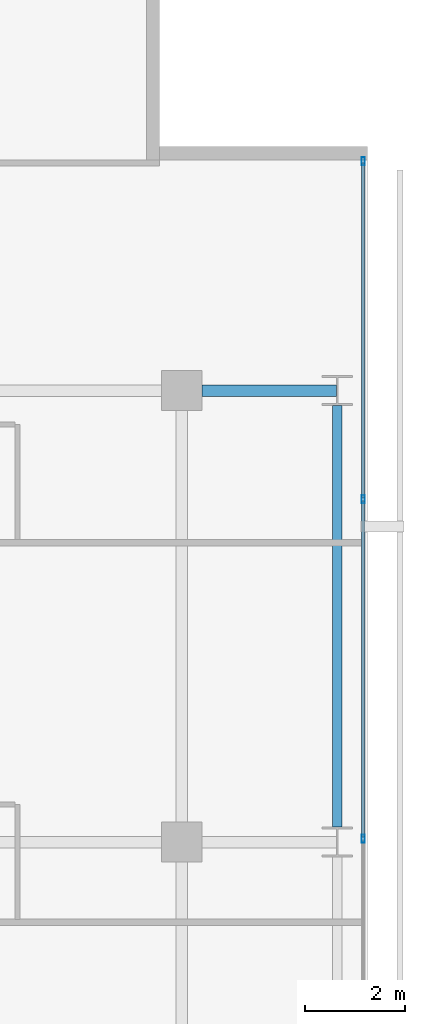
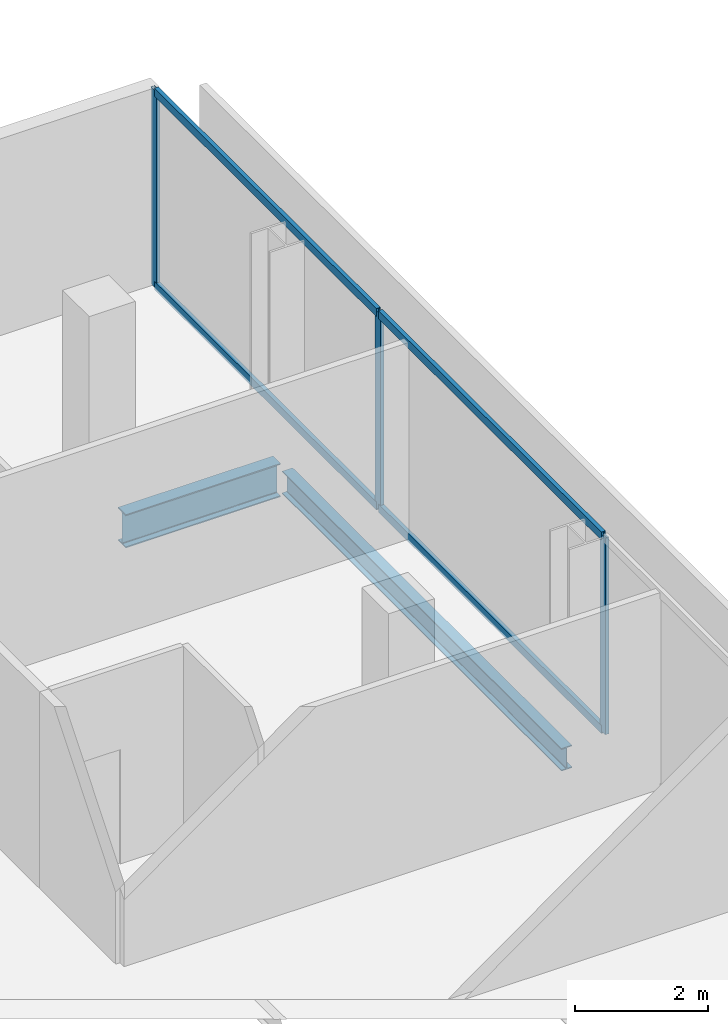
# One storey, part 24 of 34: 7 members, 2 beams, 1 element without a shape of its own.
"""IFC4 building model written with IfcOpenShell, lengths in metres."""

from ifc_helpers import new_model, si_unit, direction, frame, origin, origin_2d, place, context, subcontext, project, spatial, hollow_rectangle, i_section, extrude, material, layer, layer_set, material_profile, profile_set, type_object, element, aggregate, save


model = new_model("IFC4")

# Units and contexts
model_context = context("Model", 3, precision=1e-05, world=origin(), true_north=direction((0.0, 1.0)))
body_context = subcontext(model_context, "Body", "Model", "MODEL_VIEW")
ifc_project = project(units=[si_unit("LENGTHUNIT", "METRE"), si_unit("AREAUNIT", "SQUARE_METRE"), si_unit("VOLUMEUNIT", "CUBIC_METRE"), si_unit("PLANEANGLEUNIT", "RADIAN"), si_unit("MASSUNIT", "GRAM", prefix="KILO")], contexts=[model_context])

# Site, building, storey
site_placement = place(None, origin())
site = spatial("IfcSite", under=ifc_project, at=site_placement, CompositionType="ELEMENT")
building_placement = place(site_placement, origin())
building = spatial("IfcBuilding", under=site, at=building_placement, Name="Maruvema Waterfront Hotel and Observation Tower", CompositionType="ELEMENT")
storey_placement = place(building_placement, frame((0.0, 0.0, 135.10009765625)))
storey = spatial("IfcBuildingStorey", under=building, at=storey_placement, Name="L32", CompositionType="ELEMENT", Elevation=135.10009765625)

# Curtain wall, members
ifc_material_1 = material(Name="Anodised bronze aluminium and solar-control low-E IGU", Category="aluminium")
ifc_layer = layer(ifc_material_1, 0.159912109375, Name="Zone 2 Amber Inner Thermal Curtain Wall System CW-03")
ifc_layer_set = layer_set([ifc_layer], Name="Anodised bronze aluminium and solar-control low-E IGU")
curtain_wall_type = type_object("IfcCurtainWallType", Name="Zone 2 Amber Inner Thermal Curtain Wall System CW-03", PredefinedType="USERDEFINED", material=ifc_layer_set)
curtain_wall_placement = place(storey_placement, origin())
curtain_wall = element("IfcCurtainWall", 1, at=curtain_wall_placement, inside=storey, type_object=curtain_wall_type, Name="L32 Curtain Wall CW-L32-E", ObjectType="UNITISED CURTAIN WALL", PredefinedType="USERDEFINED")
ifc_material_2 = material(Name="Anodised architectural bronze aluminium", Category="aluminium")
ifc_material_profile_1 = material_profile(ifc_material_2, hollow_rectangle(XDim=0.070068359375, YDim=0.14990234375, WallThickness=0.00390625, at=origin_2d()), Name="ALU-T70x150")
ifc_profile_set_1 = profile_set([ifc_material_profile_1], Name="Anodised architectural bronze aluminium")
member_type_1 = type_object("IfcMemberType", Name="Curtain Wall Horizontal Transom ALU-T70x150", PredefinedType="USERDEFINED", material=ifc_profile_set_1)
member_1_placement = place(storey_placement, frame((62.419921875, 36.0966796875, 0.02978515625), z_axis=(0.0, 1.0, 0.0), x_axis=(-1.0, 0.0, 0.0)))
member_1 = element("IfcMember", 2, at=member_1_placement, type_object=member_type_1, Name="CW-03 transom 5.1", ObjectType="TRANSOM", PredefinedType="USERDEFINED", context=body_context, shape_type="SweptSolid", body=[
    extrude(hollow_rectangle(XDim=0.070068359375, YDim=0.14990234375, WallThickness=0.00390625, at=origin_2d()), origin(), (0.0, 0.0, 1.0), 6.70654296875),
])
member_2_placement = place(storey_placement, frame((62.419921875, 36.0966796875, 3.579833984375), z_axis=(0.0, 1.0, 0.0), x_axis=(-1.0, 0.0, 0.0)))
member_2 = element("IfcMember", 3, at=member_2_placement, type_object=member_type_1, Name="CW-03 transom 5.2", ObjectType="TRANSOM", PredefinedType="USERDEFINED", context=body_context, shape_type="SweptSolid", body=[
    extrude(hollow_rectangle(XDim=0.070068359375, YDim=0.14990234375, WallThickness=0.00390625, at=origin_2d()), origin(), (0.0, 0.0, 1.0), 6.70654296875),
])
member_3_placement = place(storey_placement, frame((62.419921875, 42.86328125, 0.02978515625), z_axis=(0.0, 1.0, 0.0), x_axis=(-1.0, 0.0, 0.0)))
member_3 = element("IfcMember", 4, at=member_3_placement, type_object=member_type_1, Name="CW-03 transom 6.1", ObjectType="TRANSOM", PredefinedType="USERDEFINED", context=body_context, shape_type="SweptSolid", body=[
    extrude(hollow_rectangle(XDim=0.070068359375, YDim=0.14990234375, WallThickness=0.00390625, at=origin_2d()), origin(), (0.0, 0.0, 1.0), 6.6767578125),
])
member_4_placement = place(storey_placement, frame((62.419921875, 42.86328125, 3.579833984375), z_axis=(0.0, 1.0, 0.0), x_axis=(-1.0, 0.0, 0.0)))
member_4 = element("IfcMember", 5, at=member_4_placement, type_object=member_type_1, Name="CW-03 transom 6.2", ObjectType="TRANSOM", PredefinedType="USERDEFINED", context=body_context, shape_type="SweptSolid", body=[
    extrude(hollow_rectangle(XDim=0.070068359375, YDim=0.14990234375, WallThickness=0.00390625, at=origin_2d()), origin(), (0.0, 0.0, 1.0), 6.6767578125),
])
ifc_material_3 = material(Name="Anodised architectural bronze aluminium", Category="aluminium")
ifc_material_profile_2 = material_profile(ifc_material_3, hollow_rectangle(XDim=0.06494140625, YDim=0.1650390625, WallThickness=0.00390625, at=origin_2d()), Name="ALU-M65x165")
ifc_profile_set_2 = profile_set([ifc_material_profile_2], Name="Anodised architectural bronze aluminium")
member_type_2 = type_object("IfcMemberType", Name="Curtain Wall Primary Mullion ALU-M65x165", PredefinedType="MULLION", material=ifc_profile_set_2)
member_5_placement = place(storey_placement, frame((62.419921875, 36.066650390625, 0.0), z_axis=(0.0, 0.0, 1.0), x_axis=(-1.0, 0.0, 0.0)))
member_5 = element("IfcMember", 6, at=member_5_placement, type_object=member_type_2, Name="CW-03 mullion 5", PredefinedType="MULLION", context=body_context, shape_type="SweptSolid", body=[
    extrude(hollow_rectangle(XDim=0.06494140625, YDim=0.1650390625, WallThickness=0.00390625, at=origin_2d()), origin(), (0.0, 0.0, 1.0), 3.60986328125),
])
member_6_placement = place(storey_placement, frame((62.419921875, 42.833251953125, 0.0), z_axis=(0.0, 0.0, 1.0), x_axis=(-1.0, 0.0, 0.0)))
member_6 = element("IfcMember", 7, at=member_6_placement, type_object=member_type_2, Name="CW-03 mullion 6", PredefinedType="MULLION", context=body_context, shape_type="SweptSolid", body=[
    extrude(hollow_rectangle(XDim=0.06494140625, YDim=0.1650390625, WallThickness=0.00390625, at=origin_2d()), origin(), (0.0, 0.0, 1.0), 3.60986328125),
])
member_7_placement = place(storey_placement, frame((62.419921875, 49.570068359375, 0.0), z_axis=(0.0, 0.0, 1.0), x_axis=(-1.0, 0.0, 0.0)))
member_7 = element("IfcMember", 8, at=member_7_placement, type_object=member_type_2, Name="CW-03 mullion 7", PredefinedType="MULLION", context=body_context, shape_type="SweptSolid", body=[
    extrude(hollow_rectangle(XDim=0.06494140625, YDim=0.1650390625, WallThickness=0.00390625, at=origin_2d()), origin(), (0.0, 0.0, 1.0), 3.60986328125),
])
aggregate(curtain_wall, [member_5, member_6, member_7, member_1, member_2, member_3, member_4])

# Beams
ifc_material_4 = material(Name="Steel ASTM A572 Grade 50", Category="steel")
ifc_material_profile_3 = material_profile(ifc_material_4, i_section(OverallWidth=0.180908203125, OverallDepth=0.4169921875, WebThickness=0.010986328125, FlangeThickness=0.018310546875, FilletRadius=0.014892578125, at=origin_2d()), Name="W410x85.0")
ifc_profile_set_3 = profile_set([ifc_material_profile_3], Name="Steel ASTM A572 Grade 50")
beam_type_1 = type_object("IfcBeamType", Name="Perimeter Spandrel Beam W410x85.0", PredefinedType="SPANDREL", material=ifc_profile_set_3)
beam_1_placement = place(storey_placement, frame((61.89990234375, 36.300048828125, -0.448486328125), z_axis=(0.0, 1.0, 0.0), x_axis=(-1.0, 0.0, 0.0)))
element("IfcBeam", 9, at=beam_1_placement, inside=storey, type_object=beam_type_1, Name="L32 Floor Girder NS-32", PredefinedType="SPANDREL", context=body_context, shape_type="SweptSolid", body=[
    extrude(i_section(OverallWidth=0.180908203125, OverallDepth=0.4169921875, WebThickness=0.010986328125, FlangeThickness=0.018310546875, FilletRadius=0.014892578125, at=origin_2d()), origin(), (0.0, 0.0, 1.0), 8.39990234375),
])
ifc_material_5 = material(Name="Steel ASTM A572 Grade 50", Category="steel")
ifc_material_profile_4 = material_profile(ifc_material_5, i_section(OverallWidth=0.22900390625, OverallDepth=0.612060546875, WebThickness=0.011962890625, FlangeThickness=0.01953125, FilletRadius=0.01806640625, at=origin_2d()), Name="W610x125.0")
ifc_profile_set_4 = profile_set([ifc_material_profile_4], Name="Steel ASTM A572 Grade 50")
beam_type_2 = type_object("IfcBeamType", Name="Primary Floor Girder W610x125.0", PredefinedType="BEAM", material=ifc_profile_set_4)
beam_2_placement = place(storey_placement, frame((59.199951171875, 45.0, -0.546142578125), z_axis=(1.0, 0.0, 0.0), x_axis=(0.0, 1.0, 0.0)))
element("IfcBeam", 10, at=beam_2_placement, inside=storey, type_object=beam_type_2, Name="L32 Floor Girder EW-33", PredefinedType="BEAM", context=body_context, shape_type="SweptSolid", body=[
    extrude(i_section(OverallWidth=0.22900390625, OverallDepth=0.612060546875, WebThickness=0.011962890625, FlangeThickness=0.01953125, FilletRadius=0.01806640625, at=origin_2d()), origin(), (0.0, 0.0, 1.0), 2.6875),
])

save(model, "model.ifc")
